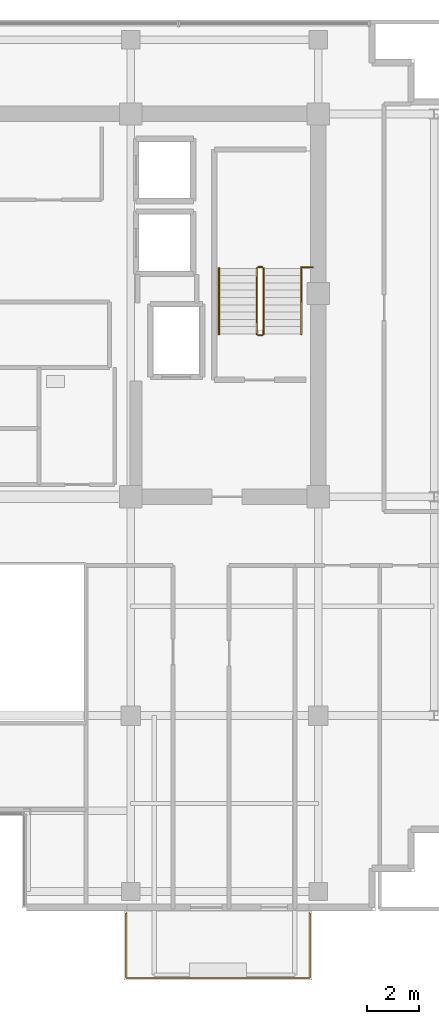
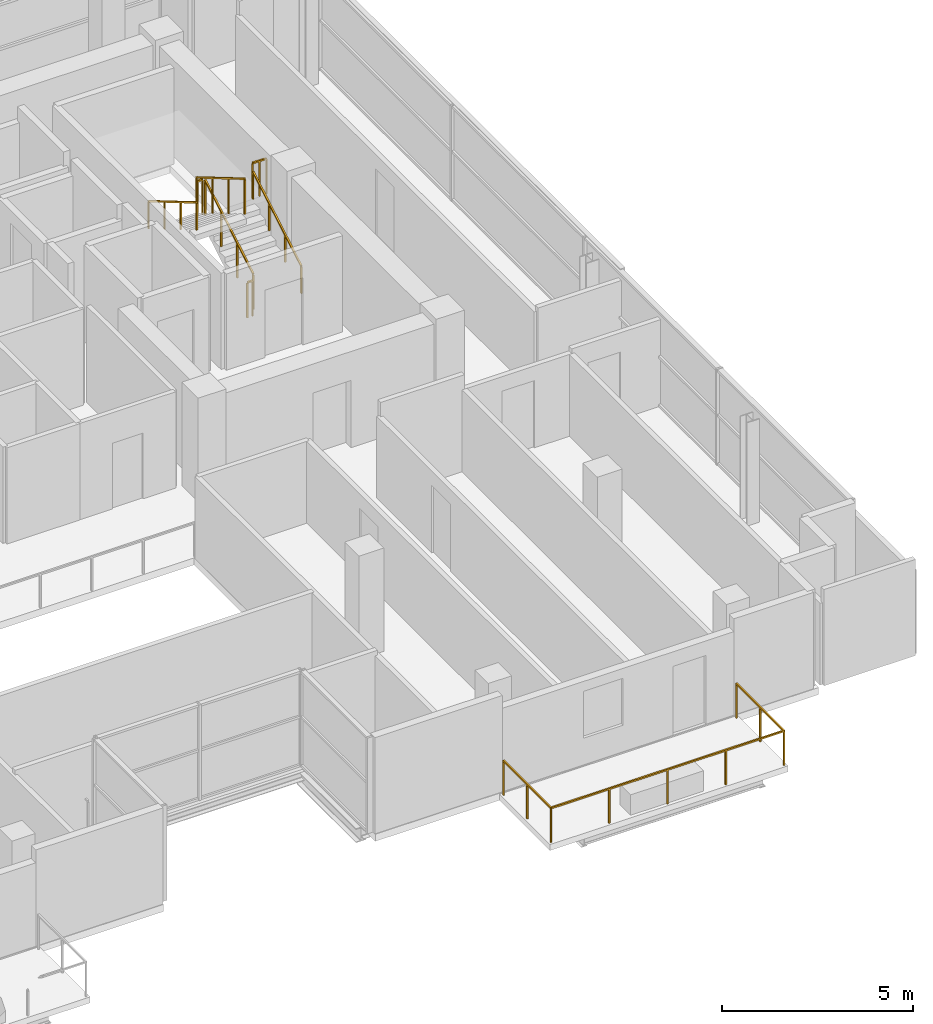
# One storey, part 21 of 22: 8 railings.
"""IFC4 building model written with IfcOpenShell, lengths in metres."""

import ifcopenshell
import ifcopenshell.guid

model = None  # the IFC model being written
_history = None  # IfcOwnerHistory: only IFC2X3 demands one
_inside = {}  # id of a spatial element -> (the spatial element, [elements in it])
_under = {}  # id of a project, library or spatial element -> (it, [spatial elements below it])
_declared = {}  # id of a project -> (the project, [libraries it declares])
_typed = {}  # id of a type object -> (the type object, [elements of that type])
_made_of = {}  # id of a material, layer set ... -> (it, [elements and type objects made of it])


def new_model(schema):
    """Start an empty IFC model of exactly this schema.

    Asked for "IFC4X3", IfcOpenShell would pick the latest addendum, in which some entities
    have other attributes; the version numbers below select the first issue.
    IFC2X3 requires an IfcOwnerHistory on every rooted entity: one is made here for all.
    """
    global model, _history
    if schema == "IFC4X3":
        model = ifcopenshell.file(schema_version=(4, 3, 0, 0))
    else:
        model = ifcopenshell.file(schema=schema)
    _inside.clear()
    _under.clear()
    _declared.clear()
    _typed.clear()
    _made_of.clear()
    _history = None
    if model.schema == "IFC2X3":
        org = make("IfcOrganization", Name="unknown")
        user = make(
            "IfcPersonAndOrganization",
            ThePerson=make("IfcPerson", FamilyName="unknown"),
            TheOrganization=org,
        )
        app = make(
            "IfcApplication",
            ApplicationDeveloper=org,
            Version="unknown",
            ApplicationFullName="unknown",
            ApplicationIdentifier="unknown",
        )
        _history = make(
            "IfcOwnerHistory",
            OwningUser=user,
            OwningApplication=app,
            ChangeAction="ADDED",
            CreationDate=0,
        )
    return model


def make(cls, **values):
    """One entity of the class cls with the attributes given. An attribute that is None is left unset."""
    return model.create_entity(
        cls, **{name: value for name, value in values.items() if value is not None}
    )


def rooted(cls, **values):
    """An entity with a GlobalId (a new one), such as an element, a storey or a relation."""
    return make(cls, GlobalId=ifcopenshell.guid.new(), OwnerHistory=_history, **values)


def si_unit(unit_type, name, prefix=None):
    """IfcSIUnit, for example si_unit("LENGTHUNIT", "METRE", prefix="MILLI")."""
    return make("IfcSIUnit", UnitType=unit_type, Prefix=prefix, Name=name)


def assignment(units):
    """IfcUnitAssignment: the units of a project."""
    return None if units is None else make("IfcUnitAssignment", Units=units)


def point(xyz):
    """IfcCartesianPoint."""
    return None if xyz is None else make("IfcCartesianPoint", Coordinates=xyz)


def direction(xyz):
    """IfcDirection."""
    return None if xyz is None else make("IfcDirection", DirectionRatios=xyz)


def frame(location, z_axis=None, x_axis=None):
    """IfcAxis2Placement3D, a coordinate frame: its origin and axes. An axis left out is left unset."""
    return make(
        "IfcAxis2Placement3D",
        Location=point(location),
        Axis=direction(z_axis),
        RefDirection=direction(x_axis),
    )


def frame_2d(location, x_axis=None):
    """IfcAxis2Placement2D, a coordinate frame in the plane: its origin and x axis."""
    return make(
        "IfcAxis2Placement2D", Location=point(location), RefDirection=direction(x_axis)
    )


def origin():
    """The frame at (0, 0, 0) with its axes left unset."""
    return frame((0.0, 0.0, 0.0))


def origin_2d():
    """The frame at (0, 0) in the plane with its x axis left unset."""
    return frame_2d((0.0, 0.0))


def place(relative_to, where):
    """IfcLocalPlacement: puts the frame where relative to a parent placement (None: the world)."""
    return make(
        "IfcLocalPlacement", PlacementRelTo=relative_to, RelativePlacement=where
    )


def context(
    kind, dimensions, precision=None, world=None, true_north=None, identifier=None
):
    """IfcGeometricRepresentationContext, for example the 3D "Model" context."""
    return make(
        "IfcGeometricRepresentationContext",
        ContextIdentifier=identifier,
        ContextType=kind,
        CoordinateSpaceDimension=dimensions,
        Precision=precision,
        WorldCoordinateSystem=world,
        TrueNorth=true_north,
    )


def subcontext(parent, identifier, kind, view, scale=None):
    """IfcGeometricRepresentationSubContext, for example "Body" below "Model"."""
    return make(
        "IfcGeometricRepresentationSubContext",
        ContextIdentifier=identifier,
        ContextType=kind,
        ParentContext=parent,
        TargetScale=scale,
        TargetView=view,
    )


def project(units=None, contexts=None):
    """IfcProject with its units and contexts."""
    return rooted(
        "IfcProject",
        Name="project",
        RepresentationContexts=contexts,
        UnitsInContext=assignment(units),
    )


def spatial(cls, under=None, at=None, **own):
    """A site, building, storey or space (cls), placed at a placement, below another one or the project."""
    s = rooted(cls, ObjectPlacement=at, **own)
    if under is not None:
        _under.setdefault(under.id(), (under, []))[1].append(s)
    return s


def profile(cls, at=None, kind="AREA", **sizes):
    """A parametric profile (cls). Its sizes go by their IFC names, for example OverallWidth=200.0."""
    return make(cls, ProfileType=kind, Position=at, **sizes)


def rectangle(**sizes):
    """IfcRectangleProfileDef."""
    return profile("IfcRectangleProfileDef", **sizes)


def extrude(swept, where, along, depth):
    """IfcExtrudedAreaSolid: the profile swept, set in the frame where, extruded along a direction by depth."""
    return make(
        "IfcExtrudedAreaSolid",
        SweptArea=swept,
        Position=where,
        ExtrudedDirection=direction(along),
        Depth=depth,
    )


def shape(context_of_items, identifier, shape_type, items):
    """IfcShapeRepresentation: the items that make up one representation, for example the "Body"."""
    return make(
        "IfcShapeRepresentation",
        ContextOfItems=context_of_items,
        RepresentationIdentifier=identifier,
        RepresentationType=shape_type,
        Items=items,
    )


def material(Name=None, Category=None):
    """IfcMaterial."""
    return make("IfcMaterial", Name=Name, Category=Category)


def made_of(thing, what):
    """Note that an element or type object is made of a material, layer set ...; save() writes the relation."""
    if what is not None:
        _made_of.setdefault(what.id(), (what, []))[1].append(thing)
    return thing


def type_object(cls, material=None, **own):
    """A type object (cls), such as IfcWallType, which elements share."""
    return made_of(rooted(cls, **own), material)


def element(
    cls,
    number,
    at=None,
    inside=None,
    cuts=None,
    type_object=None,
    material=None,
    context=None,
    identifier="Body",
    shape_type=None,
    held_by="IfcProductDefinitionShape",
    body=None,
    shapes=None,
    **own,
):
    """One element of the class cls, such as IfcWall. Its Tag is "e" and its number.

    at: its placement. inside: the storey or other place that contains it. cuts: it is an
    opening in that element (IfcRelVoidsElement). A single representation is given by context,
    identifier, shape_type and body (its items); several are given by shapes. held_by: the class
    of the entity that holds the representations. save() writes the other relations.
    """
    e = rooted(cls, Tag="e%d" % number, ObjectPlacement=at, **own)
    if body is not None:
        shapes = [shape(context, identifier, shape_type, body)]
    if shapes is not None:
        e.Representation = make(held_by, Representations=shapes)
    if inside is not None:
        _inside.setdefault(inside.id(), (inside, []))[1].append(e)
    if cuts is not None:
        rooted(
            "IfcRelVoidsElement", RelatingBuildingElement=cuts, RelatedOpeningElement=e
        )
    if type_object is not None:
        _typed.setdefault(type_object.id(), (type_object, []))[1].append(e)
    return made_of(e, material)


def aggregate(whole, parts):
    """IfcRelAggregates: a whole, such as a stair, and the parts it consists of."""
    return rooted("IfcRelAggregates", RelatingObject=whole, RelatedObjects=parts)


def save(model, path):
    """Write the relations noted so far, then the file.

    IfcRelAggregates (storeys below a building ...), IfcRelContainedInSpatialStructure (elements
    in a storey), IfcRelDefinesByType, IfcRelAssociatesMaterial and IfcRelDeclares: one each for
    every whole, place, type object, material and project.
    """
    for whole, parts in _under.values():
        aggregate(whole, parts)
    for where, things in _inside.values():
        rooted(
            "IfcRelContainedInSpatialStructure",
            RelatedElements=things,
            RelatingStructure=where,
        )
    for kind, things in _typed.values():
        rooted("IfcRelDefinesByType", RelatedObjects=things, RelatingType=kind)
    for what, things in _made_of.values():
        rooted("IfcRelAssociatesMaterial", RelatedObjects=things, RelatingMaterial=what)
    for by, libraries in _declared.values():
        rooted("IfcRelDeclares", RelatingContext=by, RelatedDefinitions=libraries)
    model.write(path)


model = new_model("IFC4")

# Units and contexts
model_context = context("Model", 3, precision=1e-05, world=origin(), true_north=direction((0.0, 1.0)))
body_context = subcontext(model_context, "Body", "Model", "MODEL_VIEW")
ifc_project = project(units=[si_unit("LENGTHUNIT", "METRE"), si_unit("AREAUNIT", "SQUARE_METRE"), si_unit("VOLUMEUNIT", "CUBIC_METRE"), si_unit("PLANEANGLEUNIT", "RADIAN"), si_unit("MASSUNIT", "GRAM", prefix="KILO")], contexts=[model_context])

# Site, building, storey
site_placement = place(None, origin())
site = spatial("IfcSite", under=ifc_project, at=site_placement, CompositionType="ELEMENT")
building_placement = place(site_placement, origin())
building = spatial("IfcBuilding", under=site, at=building_placement, Name="Zarnakvel Exchange Tower", CompositionType="ELEMENT")
storey_placement = place(building_placement, frame((0.0, 0.0, 222.10009765625)))
storey = spatial("IfcBuildingStorey", under=building, at=storey_placement, Name="L62", CompositionType="ELEMENT", Elevation=222.10009765625)

# Railings
ifc_material_1 = material(Name="Architectural Bronze Anodised Aluminium", Category="aluminium")
railing_type_1 = type_object("IfcRailingType", Name="GR-02", PredefinedType="GUARDRAIL", material=ifc_material_1)
railing_1_placement = place(storey_placement, frame((7.030029296875, -17.179931640625, -0.03515625)))
element("IfcRailing", 1, at=railing_1_placement, inside=storey, type_object=railing_type_1, Name="L62 Balcony Guardrail BAL-L62-SE", PredefinedType="GUARDRAIL", context=body_context, shape_type="SweptSolid", body=[
    extrude(rectangle(XDim=0.048095703125, YDim=0.048095703125, at=origin_2d()), frame((0.0, 0.0, 1.09619140625), z_axis=(0.0, -1.0, 0.0), x_axis=(1.0, 0.0, 0.0)), (0.0, 0.0, 1.0), 2.489990234375),
    extrude(rectangle(XDim=0.048095703125, YDim=0.048095703125, at=origin_2d()), frame((0.0, -2.489990234375, 1.09619140625), z_axis=(1.0, 0.0, 0.0), x_axis=(0.0, 1.0, 0.0)), (0.0, 0.0, 1.0), 7.0400390625),
    extrude(rectangle(XDim=0.048095703125, YDim=0.048095703125, at=origin_2d()), frame((7.0400390625, -2.489990234375, 1.09619140625), z_axis=(0.0, 1.0, 0.0), x_axis=(-1.0, 0.0, 0.0)), (0.0, 0.0, 1.0), 2.489990234375),
    extrude(rectangle(XDim=0.0419921875, YDim=0.0419921875, at=origin_2d()), origin(), (0.0, 0.0, 1.0), 1.072021484375),
    extrude(rectangle(XDim=0.0419921875, YDim=0.0419921875, at=origin_2d()), frame((0.0, -1.2451171875, 0.0)), (0.0, 0.0, 1.0), 1.072021484375),
    extrude(rectangle(XDim=0.0419921875, YDim=0.0419921875, at=origin_2d()), frame((0.0, -2.489990234375, 0.0)), (0.0, 0.0, 1.0), 1.072021484375),
    extrude(rectangle(XDim=0.0419921875, YDim=0.0419921875, at=origin_2d()), frame((1.760009765625, -2.489990234375, 0.0)), (0.0, 0.0, 1.0), 1.072021484375),
    extrude(rectangle(XDim=0.0419921875, YDim=0.0419921875, at=origin_2d()), frame((3.52001953125, -2.489990234375, 0.0)), (0.0, 0.0, 1.0), 1.072021484375),
    extrude(rectangle(XDim=0.0419921875, YDim=0.0419921875, at=origin_2d()), frame((5.280029296875, -2.489990234375, 0.0)), (0.0, 0.0, 1.0), 1.072021484375),
    extrude(rectangle(XDim=0.0419921875, YDim=0.0419921875, at=origin_2d()), frame((7.0400390625, -2.489990234375, 0.0)), (0.0, 0.0, 1.0), 1.072021484375),
    extrude(rectangle(XDim=0.0419921875, YDim=0.0419921875, at=origin_2d()), frame((7.0400390625, -1.2451171875, 0.0)), (0.0, 0.0, 1.0), 1.072021484375),
    extrude(rectangle(XDim=0.0419921875, YDim=0.0419921875, at=origin_2d()), frame((7.0400390625, 0.0, 0.0)), (0.0, 0.0, 1.0), 1.072021484375),
])
ifc_material_2 = material(Name="Brushed Stainless Steel", Category="steel")
railing_type_2 = type_object("IfcRailingType", Name="HR-01", PredefinedType="HANDRAIL", material=ifc_material_2)
railing_2_placement = place(storey_placement, frame((13.75, 5.050048828125, 0.164794921875)))
element("IfcRailing", 2, at=railing_2_placement, inside=storey, type_object=railing_type_2, Name="L62 ST-02 stair handrail 1", PredefinedType="HANDRAIL", context=body_context, shape_type="SweptSolid", body=[
    extrude(rectangle(XDim=0.048095703125, YDim=0.048095703125, at=origin_2d()), frame((0.0, 0.0, 0.8759765625), z_axis=(0.0, 0.86152411907, 0.507716645641), x_axis=(-1.0, 0.0, 0.0)), (0.0, 0.0, 1.0), 2.925048828125),
    extrude(rectangle(XDim=0.0419921875, YDim=0.0419921875, at=origin_2d()), origin(), (0.0, 0.0, 1.0), 0.851806640625),
    extrude(rectangle(XDim=0.0419921875, YDim=0.0419921875, at=origin_2d()), frame((0.0, 0.840087890625, 0.4951171875)), (0.0, 0.0, 1.0), 0.851806640625),
    extrude(rectangle(XDim=0.0419921875, YDim=0.0419921875, at=origin_2d()), frame((0.0, 1.679931640625, 0.989990234375)), (0.0, 0.0, 1.0), 0.851806640625),
    extrude(rectangle(XDim=0.0419921875, YDim=0.0419921875, at=origin_2d()), frame((0.0, 2.52001953125, 1.485107421875)), (0.0, 0.0, 1.0), 0.851806640625),
])
railing_3_placement = place(storey_placement, frame((10.590087890625, 7.570068359375, 1.81494140625)))
element("IfcRailing", 3, at=railing_3_placement, inside=storey, type_object=railing_type_2, Name="L62 ST-02 stair handrail 2", PredefinedType="HANDRAIL", context=body_context, shape_type="SweptSolid", body=[
    extrude(rectangle(XDim=0.048095703125, YDim=0.048095703125, at=origin_2d()), frame((0.0, 0.0, 0.8759765625), z_axis=(0.0, -0.861560626758, 0.507654692109), x_axis=(1.0, 0.0, 0.0)), (0.0, 0.0, 1.0), 2.925048828125),
    extrude(rectangle(XDim=0.0419921875, YDim=0.0419921875, at=origin_2d()), origin(), (0.0, 0.0, 1.0), 0.851806640625),
    extrude(rectangle(XDim=0.0419921875, YDim=0.0419921875, at=origin_2d()), frame((0.0, -0.840087890625, 0.494873046875)), (0.0, 0.0, 1.0), 0.851806640625),
    extrude(rectangle(XDim=0.0419921875, YDim=0.0419921875, at=origin_2d()), frame((0.0, -1.679931640625, 0.989990234375)), (0.0, 0.0, 1.0), 0.851806640625),
    extrude(rectangle(XDim=0.0419921875, YDim=0.0419921875, at=origin_2d()), frame((0.0, -2.52001953125, 1.48486328125)), (0.0, 0.0, 1.0), 0.851806640625),
])
railing_type_3 = type_object("IfcRailingType", Name="SG-01", PredefinedType="GUARDRAIL", material=ifc_material_1)
railing_4_placement = place(storey_placement, frame((12.300048828125, 5.050048828125, 0.164794921875)))
element("IfcRailing", 4, at=railing_4_placement, inside=storey, type_object=railing_type_3, Name="L62 ST-02 stair guard 1", PredefinedType="GUARDRAIL", context=body_context, shape_type="SweptSolid", body=[
    extrude(rectangle(XDim=0.048095703125, YDim=0.048095703125, at=origin_2d()), frame((0.0, 0.0, 1.1259765625), z_axis=(0.0, 0.86152411907, 0.507716645641), x_axis=(-1.0, 0.0, 0.0)), (0.0, 0.0, 1.0), 2.925048828125),
    extrude(rectangle(XDim=0.0419921875, YDim=0.0419921875, at=origin_2d()), origin(), (0.0, 0.0, 1.0), 1.101806640625),
    extrude(rectangle(XDim=0.0419921875, YDim=0.0419921875, at=origin_2d()), frame((0.0, 0.840087890625, 0.4951171875)), (0.0, 0.0, 1.0), 1.101806640625),
    extrude(rectangle(XDim=0.0419921875, YDim=0.0419921875, at=origin_2d()), frame((0.0, 1.679931640625, 0.989990234375)), (0.0, 0.0, 1.0), 1.101806640625),
    extrude(rectangle(XDim=0.0419921875, YDim=0.0419921875, at=origin_2d()), frame((0.0, 2.52001953125, 1.485107421875)), (0.0, 0.0, 1.0), 1.101806640625),
])
railing_5_placement = place(storey_placement, frame((12.25, 7.6201171875, 1.64990234375)))
element("IfcRailing", 5, at=railing_5_placement, inside=storey, type_object=railing_type_3, Name="L62 ST-02 stair guard 2", PredefinedType="GUARDRAIL", context=body_context, shape_type="SweptSolid", body=[
    extrude(rectangle(XDim=0.048095703125, YDim=0.048095703125, at=origin_2d()), frame((0.0, 0.0, 1.1259765625), z_axis=(-1.0, 0.0, 0.0), x_axis=(0.0, -1.0, 0.0)), (0.0, 0.0, 1.0), 0.159912109375),
    extrude(rectangle(XDim=0.0419921875, YDim=0.0419921875, at=origin_2d()), origin(), (0.0, 0.0, 1.0), 1.101806640625),
    extrude(rectangle(XDim=0.0419921875, YDim=0.0419921875, at=origin_2d()), frame((-0.159912109375, 0.0, 0.0)), (0.0, 0.0, 1.0), 1.101806640625),
])
railing_6_placement = place(storey_placement, frame((12.0400390625, 7.570068359375, 1.81494140625)))
element("IfcRailing", 6, at=railing_6_placement, inside=storey, type_object=railing_type_3, Name="L62 ST-02 stair guard 3", PredefinedType="GUARDRAIL", context=body_context, shape_type="SweptSolid", body=[
    extrude(rectangle(XDim=0.048095703125, YDim=0.048095703125, at=origin_2d()), frame((0.0, 0.0, 1.1259765625), z_axis=(0.0, -0.861560626758, 0.507654692109), x_axis=(1.0, 0.0, 0.0)), (0.0, 0.0, 1.0), 2.925048828125),
    extrude(rectangle(XDim=0.0419921875, YDim=0.0419921875, at=origin_2d()), origin(), (0.0, 0.0, 1.0), 1.101806640625),
    extrude(rectangle(XDim=0.0419921875, YDim=0.0419921875, at=origin_2d()), frame((0.0, -0.840087890625, 0.494873046875)), (0.0, 0.0, 1.0), 1.101806640625),
    extrude(rectangle(XDim=0.0419921875, YDim=0.0419921875, at=origin_2d()), frame((0.0, -1.679931640625, 0.989990234375)), (0.0, 0.0, 1.0), 1.101806640625),
    extrude(rectangle(XDim=0.0419921875, YDim=0.0419921875, at=origin_2d()), frame((0.0, -2.52001953125, 1.48486328125)), (0.0, 0.0, 1.0), 1.101806640625),
])
railing_7_placement = place(storey_placement, frame((12.25, 5.0, 0.0)))
element("IfcRailing", 7, at=railing_7_placement, inside=storey, type_object=railing_type_3, Name="L62 ST-02 stair guard 4", PredefinedType="GUARDRAIL", context=body_context, shape_type="SweptSolid", body=[
    extrude(rectangle(XDim=0.048095703125, YDim=0.048095703125, at=origin_2d()), frame((0.0, 0.0, 1.1259765625), z_axis=(-1.0, 0.0, 0.0), x_axis=(0.0, -1.0, 0.0)), (0.0, 0.0, 1.0), 0.159912109375),
    extrude(rectangle(XDim=0.0419921875, YDim=0.0419921875, at=origin_2d()), origin(), (0.0, 0.0, 1.0), 1.101806640625),
    extrude(rectangle(XDim=0.0419921875, YDim=0.0419921875, at=origin_2d()), frame((-0.159912109375, 0.0, 0.0)), (0.0, 0.0, 1.0), 1.101806640625),
])
railing_8_placement = place(storey_placement, frame((13.75, 7.610107421875, 1.64990234375)))
element("IfcRailing", 8, at=railing_8_placement, inside=storey, type_object=railing_type_3, Name="L62 ST-02 Landing Slot Guardrail", PredefinedType="GUARDRAIL", context=body_context, shape_type="SweptSolid", body=[
    extrude(rectangle(XDim=0.048095703125, YDim=0.048095703125, at=origin_2d()), frame((0.0, 0.0, 1.1259765625), z_axis=(1.0, 0.0, 0.0), x_axis=(0.0, 1.0, 0.0)), (0.0, 0.0, 1.0), 0.429931640625),
    extrude(rectangle(XDim=0.0419921875, YDim=0.0419921875, at=origin_2d()), origin(), (0.0, 0.0, 1.0), 1.101806640625),
    extrude(rectangle(XDim=0.0419921875, YDim=0.0419921875, at=origin_2d()), frame((0.21484375, 0.0, 0.0)), (0.0, 0.0, 1.0), 1.101806640625),
    extrude(rectangle(XDim=0.0419921875, YDim=0.0419921875, at=origin_2d()), frame((0.429931640625, 0.0, 0.0)), (0.0, 0.0, 1.0), 1.101806640625),
])

save(model, "model.ifc")
